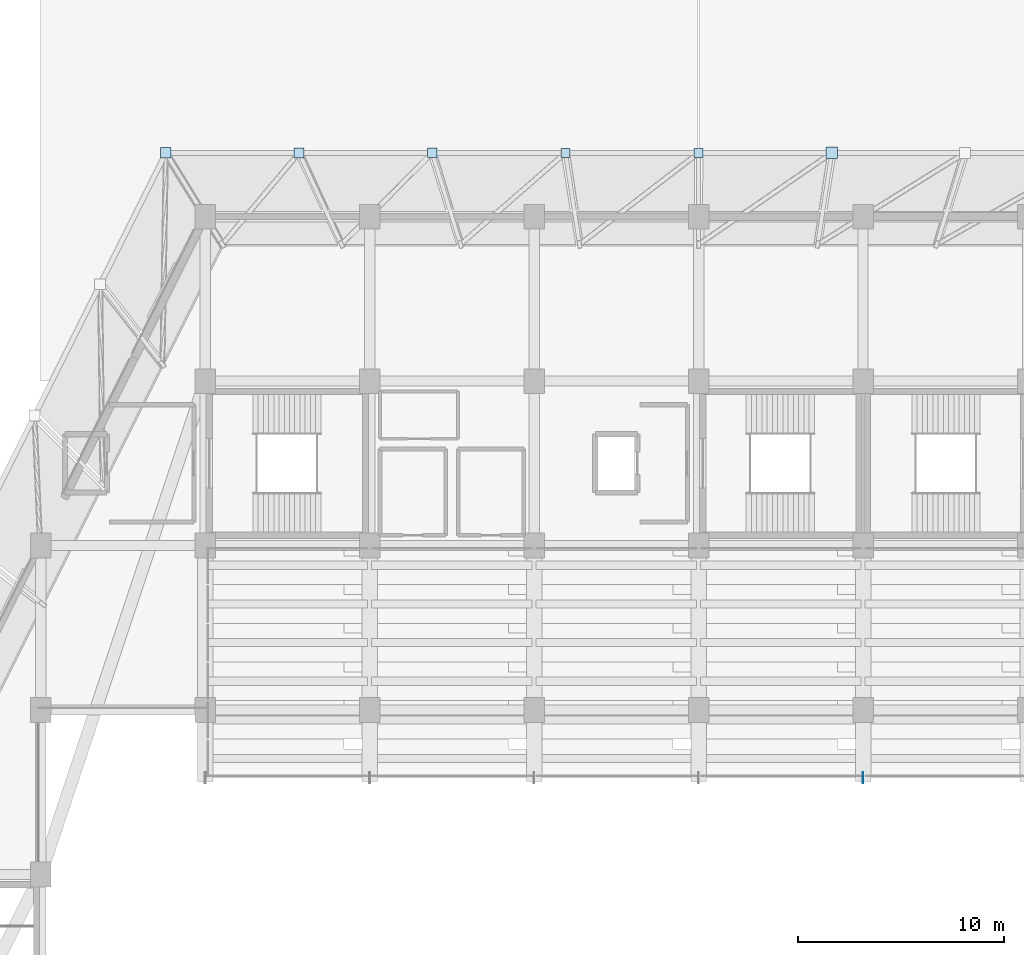
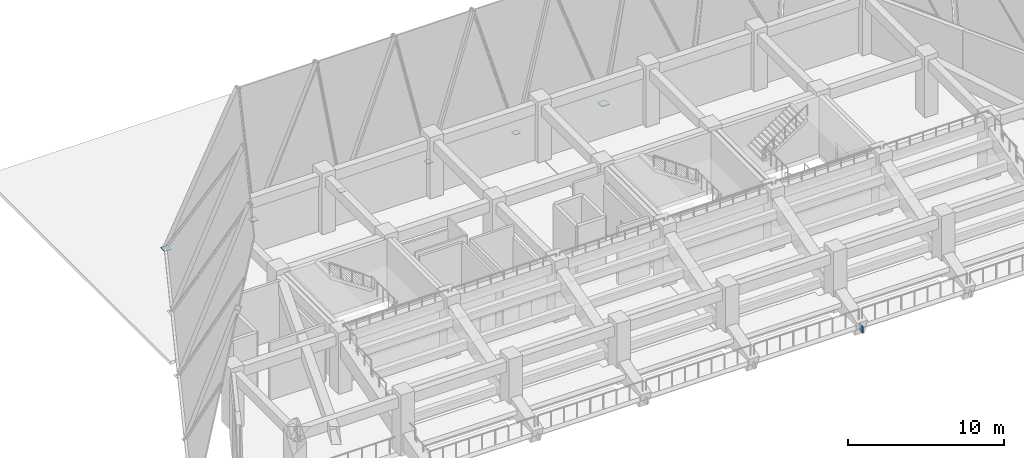
# One storey, part 13 of 24: 7 plates.
"""IFC4 building model written with IfcOpenShell, lengths in metres."""

from ifc_helpers import new_model, si_unit, direction, frame, origin, origin_2d, place, context, subcontext, project, spatial, rectangle, extrude, material, layer, layer_set, type_object, element, save


model = new_model("IFC4")

# Units and contexts
model_context = context("Model", 3, precision=1e-05, world=origin(), true_north=direction((0.0, 1.0)))
body_context = subcontext(model_context, "Body", "Model", "MODEL_VIEW")
ifc_project = project(units=[si_unit("LENGTHUNIT", "METRE"), si_unit("AREAUNIT", "SQUARE_METRE"), si_unit("VOLUMEUNIT", "CUBIC_METRE"), si_unit("PLANEANGLEUNIT", "RADIAN"), si_unit("MASSUNIT", "GRAM", prefix="KILO")], contexts=[model_context])

# Site, building, storey
site_placement = place(None, origin())
site = spatial("IfcSite", under=ifc_project, at=site_placement, CompositionType="ELEMENT")
building_placement = place(site_placement, origin())
building = spatial("IfcBuilding", under=site, at=building_placement, Name="Tazarka Park Arena", CompositionType="ELEMENT")
storey_placement = place(building_placement, frame((0.0, 0.0, 15.0)))
storey = spatial("IfcBuildingStorey", under=building, at=storey_placement, Name="L03", CompositionType="ELEMENT", Elevation=15.0)

# Plates
ifc_material_1 = material(Name="Steel S460", Category="steel")
ifc_layer_1 = layer(ifc_material_1, 0.031982421875, Name="Steel S460")
ifc_layer_set_1 = layer_set([ifc_layer_1], Name="Steel S460")
plate_type_1 = type_object("IfcPlateType", Name="PLT-PL-12", PredefinedType="USERDEFINED", material=ifc_layer_set_1)
plate_1_placement = place(storey_placement, frame((96.0, 84.699951171875, 0.060546875), z_axis=(0.0, 0.0, 1.0), x_axis=(1.0, 0.0, 0.0)))
element("IfcPlate", 1, at=plate_1_placement, inside=storey, type_object=plate_type_1, Name="RKP-N-12-2", ObjectType="STIFFENER", PredefinedType="USERDEFINED", context=body_context, shape_type="SweptSolid", body=[
    extrude(rectangle(XDim=0.031982421875, YDim=0.5400390625, at=origin_2d()), origin(), (0.0, 0.0, 1.0), 0.5400390625),
])
ifc_material_2 = material(Name="Steel S460", Category="steel")
ifc_layer_2 = layer(ifc_material_2, 0.028076171875, Name="Steel S460")
ifc_layer_set_2 = layer_set([ifc_layer_2], Name="Steel S460")
plate_type_2 = type_object("IfcPlateType", Name="PLT-PL-13", PredefinedType="USERDEFINED", material=ifc_layer_set_2)
plate_2_placement = place(storey_placement, frame((88.0, 115.10009765625, -0.01416015625), z_axis=(0.0, 0.0, 1.0), x_axis=(1.0, 0.0, 0.0)))
element("IfcPlate", 2, at=plate_2_placement, inside=storey, type_object=plate_type_2, Name="GMP-W-28", ObjectType="STIFFENER", PredefinedType="USERDEFINED", context=body_context, shape_type="SweptSolid", body=[
    extrude(rectangle(XDim=0.43994140625, YDim=0.43994140625, at=origin_2d()), origin(), (0.0, 0.0, 1.0), 0.028076171875),
])
ifc_material_3 = material(Name="Steel S460", Category="steel")
ifc_layer_3 = layer(ifc_material_3, 0.029052734375, Name="Steel S460")
ifc_layer_set_3 = layer_set([ifc_layer_3], Name="Steel S460")
plate_type_3 = type_object("IfcPlateType", Name="PLT-PL-16", PredefinedType="USERDEFINED", material=ifc_layer_set_3)
plate_3_placement = place(storey_placement, frame((81.52099609375, 115.10009765625, -0.0146484375), z_axis=(0.0, 0.0, 1.0), x_axis=(1.0, 0.0, 0.0)))
element("IfcPlate", 3, at=plate_3_placement, inside=storey, type_object=plate_type_3, Name="GMP-W-29", ObjectType="STIFFENER", PredefinedType="USERDEFINED", context=body_context, shape_type="SweptSolid", body=[
    extrude(rectangle(XDim=0.449951171875, YDim=0.449951171875, at=origin_2d()), origin(), (0.0, 0.0, 1.0), 0.029052734375),
])
ifc_material_4 = material(Name="Steel S460", Category="steel")
ifc_layer_4 = layer(ifc_material_4, 0.031005859375, Name="Steel S460")
ifc_layer_set_4 = layer_set([ifc_layer_4], Name="Steel S460")
plate_type_4 = type_object("IfcPlateType", Name="PLT-PL-17", PredefinedType="USERDEFINED", material=ifc_layer_set_4)
plate_4_placement = place(storey_placement, frame((75.0419921875, 115.10009765625, -0.015625), z_axis=(0.0, 0.0, 1.0), x_axis=(1.0, 0.0, 0.0)))
element("IfcPlate", 4, at=plate_4_placement, inside=storey, type_object=plate_type_4, Name="GMP-W-30", ObjectType="STIFFENER", PredefinedType="USERDEFINED", context=body_context, shape_type="SweptSolid", body=[
    extrude(rectangle(XDim=0.469970703125, YDim=0.469970703125, at=origin_2d()), origin(), (0.0, 0.0, 1.0), 0.031005859375),
])
ifc_material_5 = material(Name="Steel S460", Category="steel")
ifc_layer_5 = layer(ifc_material_5, 0.032958984375, Name="Steel S460")
ifc_layer_set_5 = layer_set([ifc_layer_5], Name="Steel S460")
plate_type_5 = type_object("IfcPlateType", Name="PLT-PL-18", PredefinedType="USERDEFINED", material=ifc_layer_set_5)
plate_5_placement = place(storey_placement, frame((68.56298828125, 115.10009765625, -0.0166015625), z_axis=(0.0, 0.0, 1.0), x_axis=(1.0, 0.0, 0.0)))
element("IfcPlate", 5, at=plate_5_placement, inside=storey, type_object=plate_type_5, Name="GMP-W-31", ObjectType="STIFFENER", PredefinedType="USERDEFINED", context=body_context, shape_type="SweptSolid", body=[
    extrude(rectangle(XDim=0.489990234375, YDim=0.489990234375, at=origin_2d()), origin(), (0.0, 0.0, 1.0), 0.032958984375),
])
ifc_material_6 = material(Name="Steel S460", Category="steel")
ifc_layer_6 = layer(ifc_material_6, 0.034912109375, Name="Steel S460")
ifc_layer_set_6 = layer_set([ifc_layer_6], Name="Steel S460")
plate_type_6 = type_object("IfcPlateType", Name="PLT-PL-19", PredefinedType="USERDEFINED", material=ifc_layer_set_6)
plate_6_placement = place(storey_placement, frame((62.083984375, 115.10009765625, -0.017578125), z_axis=(0.0, 0.0, 1.0), x_axis=(1.0, 0.0, 0.0)))
element("IfcPlate", 6, at=plate_6_placement, inside=storey, type_object=plate_type_6, Name="GMP-W-32", ObjectType="STIFFENER", PredefinedType="USERDEFINED", context=body_context, shape_type="SweptSolid", body=[
    extrude(rectangle(XDim=0.510009765625, YDim=0.510009765625, at=origin_2d()), origin(), (0.0, 0.0, 1.0), 0.034912109375),
])
ifc_material_7 = material(Name="Steel S460", Category="steel")
ifc_layer_7 = layer(ifc_material_7, 0.0390625, Name="Steel S460")
ifc_layer_set_7 = layer_set([ifc_layer_7], Name="Steel S460")
plate_type_7 = type_object("IfcPlateType", Name="PLT-PL-21", PredefinedType="USERDEFINED", material=ifc_layer_set_7)
plate_7_placement = place(storey_placement, frame((94.47900390625, 115.10009765625, -0.01953125), z_axis=(0.0, 0.0, 1.0), x_axis=(1.0, 0.0, 0.0)))
element("IfcPlate", 7, at=plate_7_placement, inside=storey, type_object=plate_type_7, Name="GMP-W-27", ObjectType="STIFFENER", PredefinedType="USERDEFINED", context=body_context, shape_type="SweptSolid", body=[
    extrude(rectangle(XDim=0.550048828125, YDim=0.550048828125, at=origin_2d()), origin(), (0.0, 0.0, 1.0), 0.0390625),
])

save(model, "model.ifc")
